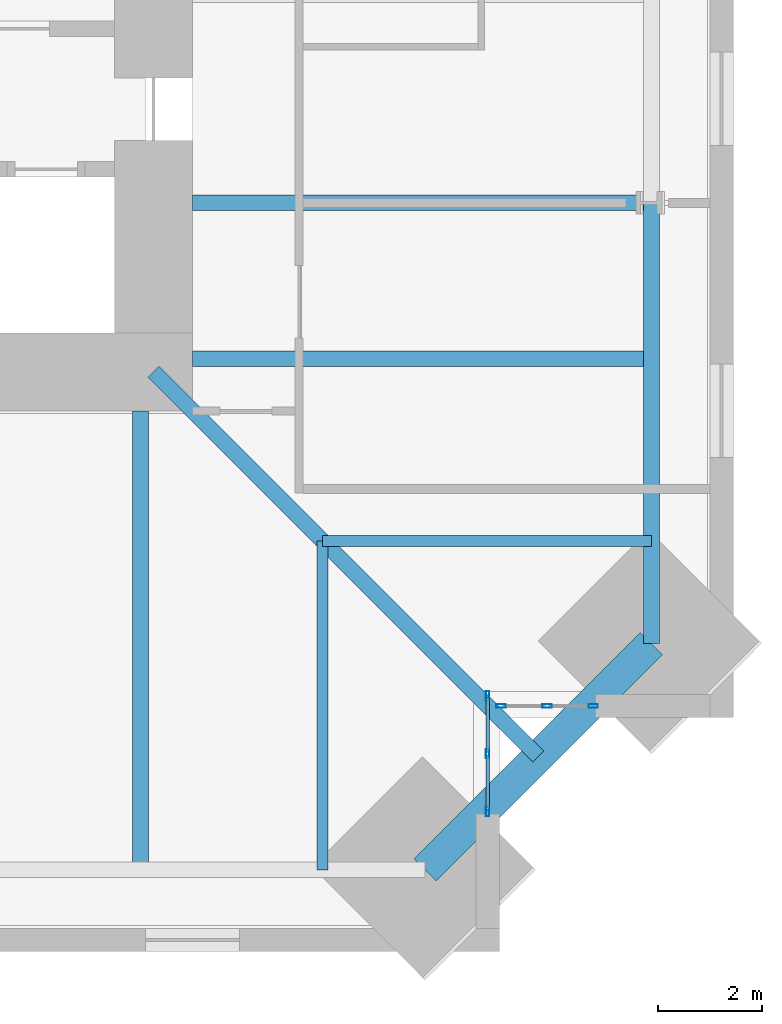
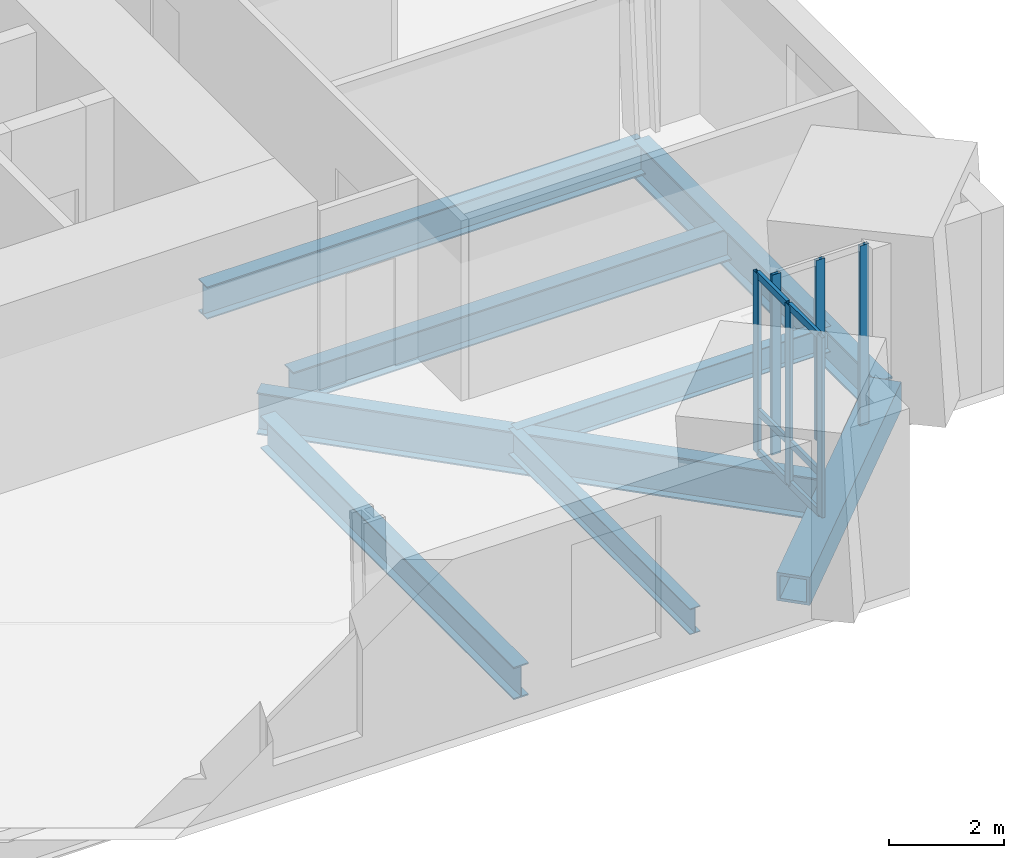
# One storey, part 4 of 18: 12 members, 8 beams, 2 elements without a shape of their own.
"""IFC4 building model written with IfcOpenShell, lengths in metres."""

import ifcopenshell
import ifcopenshell.guid

model = None  # the IFC model being written
_history = None  # IfcOwnerHistory: only IFC2X3 demands one
_inside = {}  # id of a spatial element -> (the spatial element, [elements in it])
_under = {}  # id of a project, library or spatial element -> (it, [spatial elements below it])
_declared = {}  # id of a project -> (the project, [libraries it declares])
_typed = {}  # id of a type object -> (the type object, [elements of that type])
_made_of = {}  # id of a material, layer set ... -> (it, [elements and type objects made of it])


def new_model(schema):
    """Start an empty IFC model of exactly this schema.

    Asked for "IFC4X3", IfcOpenShell would pick the latest addendum, in which some entities
    have other attributes; the version numbers below select the first issue.
    IFC2X3 requires an IfcOwnerHistory on every rooted entity: one is made here for all.
    """
    global model, _history
    if schema == "IFC4X3":
        model = ifcopenshell.file(schema_version=(4, 3, 0, 0))
    else:
        model = ifcopenshell.file(schema=schema)
    _inside.clear()
    _under.clear()
    _declared.clear()
    _typed.clear()
    _made_of.clear()
    _history = None
    if model.schema == "IFC2X3":
        org = make("IfcOrganization", Name="unknown")
        user = make(
            "IfcPersonAndOrganization",
            ThePerson=make("IfcPerson", FamilyName="unknown"),
            TheOrganization=org,
        )
        app = make(
            "IfcApplication",
            ApplicationDeveloper=org,
            Version="unknown",
            ApplicationFullName="unknown",
            ApplicationIdentifier="unknown",
        )
        _history = make(
            "IfcOwnerHistory",
            OwningUser=user,
            OwningApplication=app,
            ChangeAction="ADDED",
            CreationDate=0,
        )
    return model


def make(cls, **values):
    """One entity of the class cls with the attributes given. An attribute that is None is left unset."""
    return model.create_entity(
        cls, **{name: value for name, value in values.items() if value is not None}
    )


def rooted(cls, **values):
    """An entity with a GlobalId (a new one), such as an element, a storey or a relation."""
    return make(cls, GlobalId=ifcopenshell.guid.new(), OwnerHistory=_history, **values)


def si_unit(unit_type, name, prefix=None):
    """IfcSIUnit, for example si_unit("LENGTHUNIT", "METRE", prefix="MILLI")."""
    return make("IfcSIUnit", UnitType=unit_type, Prefix=prefix, Name=name)


def assignment(units):
    """IfcUnitAssignment: the units of a project."""
    return None if units is None else make("IfcUnitAssignment", Units=units)


def point(xyz):
    """IfcCartesianPoint."""
    return None if xyz is None else make("IfcCartesianPoint", Coordinates=xyz)


def direction(xyz):
    """IfcDirection."""
    return None if xyz is None else make("IfcDirection", DirectionRatios=xyz)


def frame(location, z_axis=None, x_axis=None):
    """IfcAxis2Placement3D, a coordinate frame: its origin and axes. An axis left out is left unset."""
    return make(
        "IfcAxis2Placement3D",
        Location=point(location),
        Axis=direction(z_axis),
        RefDirection=direction(x_axis),
    )


def frame_2d(location, x_axis=None):
    """IfcAxis2Placement2D, a coordinate frame in the plane: its origin and x axis."""
    return make(
        "IfcAxis2Placement2D", Location=point(location), RefDirection=direction(x_axis)
    )


def origin():
    """The frame at (0, 0, 0) with its axes left unset."""
    return frame((0.0, 0.0, 0.0))


def origin_2d():
    """The frame at (0, 0) in the plane with its x axis left unset."""
    return frame_2d((0.0, 0.0))


def place(relative_to, where):
    """IfcLocalPlacement: puts the frame where relative to a parent placement (None: the world)."""
    return make(
        "IfcLocalPlacement", PlacementRelTo=relative_to, RelativePlacement=where
    )


def context(
    kind, dimensions, precision=None, world=None, true_north=None, identifier=None
):
    """IfcGeometricRepresentationContext, for example the 3D "Model" context."""
    return make(
        "IfcGeometricRepresentationContext",
        ContextIdentifier=identifier,
        ContextType=kind,
        CoordinateSpaceDimension=dimensions,
        Precision=precision,
        WorldCoordinateSystem=world,
        TrueNorth=true_north,
    )


def subcontext(parent, identifier, kind, view, scale=None):
    """IfcGeometricRepresentationSubContext, for example "Body" below "Model"."""
    return make(
        "IfcGeometricRepresentationSubContext",
        ContextIdentifier=identifier,
        ContextType=kind,
        ParentContext=parent,
        TargetScale=scale,
        TargetView=view,
    )


def project(units=None, contexts=None):
    """IfcProject with its units and contexts."""
    return rooted(
        "IfcProject",
        Name="project",
        RepresentationContexts=contexts,
        UnitsInContext=assignment(units),
    )


def spatial(cls, under=None, at=None, **own):
    """A site, building, storey or space (cls), placed at a placement, below another one or the project."""
    s = rooted(cls, ObjectPlacement=at, **own)
    if under is not None:
        _under.setdefault(under.id(), (under, []))[1].append(s)
    return s


def profile(cls, at=None, kind="AREA", **sizes):
    """A parametric profile (cls). Its sizes go by their IFC names, for example OverallWidth=200.0."""
    return make(cls, ProfileType=kind, Position=at, **sizes)


def hollow_rectangle(**sizes):
    """IfcRectangleHollowProfileDef."""
    return profile("IfcRectangleHollowProfileDef", **sizes)


def i_section(**sizes):
    """IfcIShapeProfileDef."""
    return profile("IfcIShapeProfileDef", **sizes)


def extrude(swept, where, along, depth):
    """IfcExtrudedAreaSolid: the profile swept, set in the frame where, extruded along a direction by depth."""
    return make(
        "IfcExtrudedAreaSolid",
        SweptArea=swept,
        Position=where,
        ExtrudedDirection=direction(along),
        Depth=depth,
    )


def shape(context_of_items, identifier, shape_type, items):
    """IfcShapeRepresentation: the items that make up one representation, for example the "Body"."""
    return make(
        "IfcShapeRepresentation",
        ContextOfItems=context_of_items,
        RepresentationIdentifier=identifier,
        RepresentationType=shape_type,
        Items=items,
    )


def material(Name=None, Category=None):
    """IfcMaterial."""
    return make("IfcMaterial", Name=Name, Category=Category)


def material_profile(
    of_material, cross_section, Name=None, Category=None, Priority=None
):
    """IfcMaterialProfile: a cross section and its material."""
    return make(
        "IfcMaterialProfile",
        Name=Name,
        Material=of_material,
        Profile=cross_section,
        Priority=Priority,
        Category=Category,
    )


def profile_set(profiles, Name=None, composite=None):
    """IfcMaterialProfileSet."""
    return make(
        "IfcMaterialProfileSet",
        Name=Name,
        MaterialProfiles=profiles,
        CompositeProfile=composite,
    )


def made_of(thing, what):
    """Note that an element or type object is made of a material, layer set ...; save() writes the relation."""
    if what is not None:
        _made_of.setdefault(what.id(), (what, []))[1].append(thing)
    return thing


def type_object(cls, material=None, **own):
    """A type object (cls), such as IfcWallType, which elements share."""
    return made_of(rooted(cls, **own), material)


def element(
    cls,
    number,
    at=None,
    inside=None,
    cuts=None,
    type_object=None,
    material=None,
    context=None,
    identifier="Body",
    shape_type=None,
    held_by="IfcProductDefinitionShape",
    body=None,
    shapes=None,
    **own,
):
    """One element of the class cls, such as IfcWall. Its Tag is "e" and its number.

    at: its placement. inside: the storey or other place that contains it. cuts: it is an
    opening in that element (IfcRelVoidsElement). A single representation is given by context,
    identifier, shape_type and body (its items); several are given by shapes. held_by: the class
    of the entity that holds the representations. save() writes the other relations.
    """
    e = rooted(cls, Tag="e%d" % number, ObjectPlacement=at, **own)
    if body is not None:
        shapes = [shape(context, identifier, shape_type, body)]
    if shapes is not None:
        e.Representation = make(held_by, Representations=shapes)
    if inside is not None:
        _inside.setdefault(inside.id(), (inside, []))[1].append(e)
    if cuts is not None:
        rooted(
            "IfcRelVoidsElement", RelatingBuildingElement=cuts, RelatedOpeningElement=e
        )
    if type_object is not None:
        _typed.setdefault(type_object.id(), (type_object, []))[1].append(e)
    return made_of(e, material)


def aggregate(whole, parts):
    """IfcRelAggregates: a whole, such as a stair, and the parts it consists of."""
    return rooted("IfcRelAggregates", RelatingObject=whole, RelatedObjects=parts)


def save(model, path):
    """Write the relations noted so far, then the file.

    IfcRelAggregates (storeys below a building ...), IfcRelContainedInSpatialStructure (elements
    in a storey), IfcRelDefinesByType, IfcRelAssociatesMaterial and IfcRelDeclares: one each for
    every whole, place, type object, material and project.
    """
    for whole, parts in _under.values():
        aggregate(whole, parts)
    for where, things in _inside.values():
        rooted(
            "IfcRelContainedInSpatialStructure",
            RelatedElements=things,
            RelatingStructure=where,
        )
    for kind, things in _typed.values():
        rooted("IfcRelDefinesByType", RelatedObjects=things, RelatingType=kind)
    for what, things in _made_of.values():
        rooted("IfcRelAssociatesMaterial", RelatedObjects=things, RelatingMaterial=what)
    for by, libraries in _declared.values():
        rooted("IfcRelDeclares", RelatingContext=by, RelatedDefinitions=libraries)
    model.write(path)


model = new_model("IFC4")

# Units and contexts
model_context = context("Model", 3, precision=1e-05, world=origin(), true_north=direction((0.0, 1.0)))
body_context = subcontext(model_context, "Body", "Model", "MODEL_VIEW")
ifc_project = project(units=[si_unit("LENGTHUNIT", "METRE"), si_unit("AREAUNIT", "SQUARE_METRE"), si_unit("VOLUMEUNIT", "CUBIC_METRE"), si_unit("PLANEANGLEUNIT", "RADIAN"), si_unit("MASSUNIT", "GRAM", prefix="KILO")], contexts=[model_context])

# Site, building, storey
site_placement = place(None, origin())
site = spatial("IfcSite", under=ifc_project, at=site_placement, CompositionType="ELEMENT")
building_placement = place(site_placement, origin())
building = spatial("IfcBuilding", under=site, at=building_placement, Name="Peilmerk Tower", CompositionType="ELEMENT")
storey_placement = place(building_placement, frame((0.0, 0.0, 249.800048828125)))
storey = spatial("IfcBuildingStorey", under=building, at=storey_placement, Name="L55", CompositionType="ELEMENT", Elevation=249.800048828125)

# Beams
ifc_material_1 = material(Name="Steel S355", Category="steel")
ifc_material_profile_1 = material_profile(ifc_material_1, i_section(OverallWidth=0.2099609375, OverallDepth=0.550048828125, WebThickness=0.010986328125, FlangeThickness=0.01708984375, at=origin_2d()), Name="IPE 550")
ifc_profile_set_1 = profile_set([ifc_material_profile_1], Name="Steel S355")
beam_type_1 = type_object("IfcBeamType", Name="B12 IPE 550 floor beam", PredefinedType="BEAM", material=ifc_profile_set_1)
for number, where, z_axis, x_axis, name in (
    (1, (14.5, -14.5, -0.445068359375), (0.0, -1.0, 0.0), (1.0, 0.0, 0.0), "Floor beam L55"),
    (2, (14.5, -14.5, -0.445068359375), (1.0, 0.0, 0.0), (0.0, 1.0, 0.0), "Floor beam L55"),
):
    element("IfcBeam", number, at=place(storey_placement, frame(where, z_axis=z_axis, x_axis=x_axis)), inside=storey, type_object=beam_type_1, Name=name, PredefinedType="BEAM", context=body_context, shape_type="SweptSolid", body=[
        extrude(i_section(OverallWidth=0.2099609375, OverallDepth=0.550048828125, WebThickness=0.010986328125, FlangeThickness=0.01708984375, at=origin_2d()), origin(), (0.0, 0.0, 1.0), 6.32421875),
    ])
ifc_material_profile_2 = material_profile(ifc_material_1, i_section(OverallWidth=0.302978515625, OverallDepth=0.81396484375, WebThickness=0.02099609375, FlangeThickness=0.0400390625, at=origin_2d()), Name="HEM 800")
ifc_profile_set_2 = profile_set([ifc_material_profile_2], Name="Steel S355")
beam_type_2 = type_object("IfcBeamType", Name="B15 HEM 800 edge beam", PredefinedType="SPANDREL", material=ifc_profile_set_2)
beam_1_placement = place(storey_placement, frame((20.82421875, -16.47412109375, -0.5771484375), z_axis=(0.0, 1.0, 0.0), x_axis=(-1.0, 0.0, 0.0)))
element("IfcBeam", 3, at=beam_1_placement, inside=storey, type_object=beam_type_2, Name="Edge beam L55", PredefinedType="SPANDREL", context=body_context, shape_type="SweptSolid", body=[
    extrude(i_section(OverallWidth=0.302978515625, OverallDepth=0.81396484375, WebThickness=0.02099609375, FlangeThickness=0.0400390625, at=origin_2d()), origin(), (0.0, 0.0, 1.0), 8.47412109375),
])
ifc_material_profile_3 = material_profile(ifc_material_1, i_section(OverallWidth=0.300048828125, OverallDepth=0.68994140625, WebThickness=0.014404296875, FlangeThickness=0.027099609375, at=origin_2d()), Name="HEA 700")
ifc_profile_set_3 = profile_set([ifc_material_profile_3], Name="Steel S355")
beam_type_3 = type_object("IfcBeamType", Name="B16 HEA 700 floor beam", PredefinedType="BEAM", material=ifc_profile_set_3)
for number, where, z_axis, x_axis, name in (
    (4, (12.0, -11.0, -0.51513671875), (1.0, 0.0, 0.0), (0.0, 1.0, 0.0), "Floor beam L55"),
    (5, (12.0, -8.0, -0.51513671875), (1.0, 0.0, 0.0), (0.0, 1.0, 0.0), "Floor beam L55"),
    (6, (11.0, -12.0, -0.51513671875), (0.0, -1.0, 0.0), (1.0, 0.0, 0.0), "Floor beam L55"),
):
    element("IfcBeam", number, at=place(storey_placement, frame(where, z_axis=z_axis, x_axis=x_axis)), inside=storey, type_object=beam_type_3, Name=name, PredefinedType="BEAM", context=body_context, shape_type="SweptSolid", body=[
        extrude(i_section(OverallWidth=0.300048828125, OverallDepth=0.68994140625, WebThickness=0.014404296875, FlangeThickness=0.027099609375, at=origin_2d()), origin(), (0.0, 0.0, 1.0), 8.82421875),
    ])
ifc_material_2 = material(Name="Steel S460", Category="steel")
ifc_material_profile_4 = material_profile(ifc_material_2, hollow_rectangle(XDim=0.60009765625, YDim=0.60009765625, WallThickness=0.06005859375, at=origin_2d()), Name="BOX 600x600x60")
ifc_profile_set_4 = profile_set([ifc_material_profile_4], Name="Steel S460")
beam_type_4 = type_object("IfcBeamType", Name="B20 BOX 600x600x60 notch beam", PredefinedType="SPANDREL", material=ifc_profile_set_4)
beam_2_placement = place(storey_placement, frame((20.82421875, -16.47412109375, -0.469970703125), z_axis=(-0.707106781187, -0.707106781187, 0.0), x_axis=(0.707106781187, -0.707106781187, 0.0)))
element("IfcBeam", 7, at=beam_2_placement, inside=storey, type_object=beam_type_4, Name="Notch beam L55", PredefinedType="SPANDREL", context=body_context, shape_type="SweptSolid", body=[
    extrude(hollow_rectangle(XDim=0.60009765625, YDim=0.60009765625, WallThickness=0.06005859375, at=origin_2d()), origin(), (0.0, 0.0, 1.0), 6.15185546875),
])
ifc_material_profile_5 = material_profile(ifc_material_1, i_section(OverallWidth=0.300048828125, OverallDepth=0.889892578125, WebThickness=0.01611328125, FlangeThickness=0.030029296875, at=origin_2d()), Name="HEA 900")
ifc_profile_set_5 = profile_set([ifc_material_profile_5], Name="Steel S355")
beam_type_5 = type_object("IfcBeamType", Name="B4 HEA 900 floor beam", PredefinedType="BEAM", material=ifc_profile_set_5)
beam_3_placement = place(storey_placement, frame((11.25, -11.25, -0.614990234375), z_axis=(0.707106781187, -0.707106781187, 0.0), x_axis=(0.707106781187, 0.707106781187, 0.0)))
element("IfcBeam", 8, at=beam_3_placement, inside=storey, type_object=beam_type_5, Name="Corner girder L55", PredefinedType="BEAM", context=body_context, shape_type="SweptSolid", body=[
    extrude(i_section(OverallWidth=0.300048828125, OverallDepth=0.889892578125, WebThickness=0.01611328125, FlangeThickness=0.030029296875, at=origin_2d()), origin(), (0.0, 0.0, 1.0), 10.464111328125),
])

# Curtain wall, members
ifc_material_3 = material(Name="Aluminium stick curtain wall", Category="aluminium")
curtain_wall_type = type_object("IfcCurtainWallType", Name="CW4 stick curtain wall, 2250 module", PredefinedType="NOTDEFINED", material=ifc_material_3)
curtain_wall_1_placement = place(storey_placement, origin())
curtain_wall_1 = element("IfcCurtainWall", 9, at=curtain_wall_1_placement, inside=storey, type_object=curtain_wall_type, Name="Curtain wall CW4 SEA L55", PredefinedType="NOTDEFINED")
ifc_material_4 = material(Name="Aluminium EN AW-6063 T6", Category="aluminium")
ifc_material_profile_6 = material_profile(ifc_material_4, hollow_rectangle(XDim=0.06494140625, YDim=0.179931640625, WallThickness=0.0029296875, at=origin_2d()), Name="AL 180x65x3")
ifc_profile_set_6 = profile_set([ifc_material_profile_6], Name="Aluminium EN AW-6063 T6")
member_type_1 = type_object("IfcMemberType", Name="CW4-M AL 180x65x3 mullion", PredefinedType="MULLION", material=ifc_profile_set_6)
member_1_placement = place(storey_placement, frame((17.675048828125, -17.482421875, 0.0), z_axis=(0.0, 0.0, 1.0), x_axis=(1.0, 0.0, 0.0)))
member_1 = element("IfcMember", 10, at=member_1_placement, type_object=member_type_1, Name="CW4 mullion 1", PredefinedType="MULLION", context=body_context, shape_type="SweptSolid", body=[
    extrude(hollow_rectangle(XDim=0.06494140625, YDim=0.179931640625, WallThickness=0.0029296875, at=origin_2d()), origin(), (0.0, 0.0, 1.0), 3.829833984375),
])
member_2_placement = place(storey_placement, frame((17.675048828125, -18.59423828125, 0.0), z_axis=(0.0, 0.0, 1.0), x_axis=(1.0, 0.0, 0.0)))
member_2 = element("IfcMember", 11, at=member_2_placement, type_object=member_type_1, Name="CW4 mullion 2", PredefinedType="MULLION", context=body_context, shape_type="SweptSolid", body=[
    extrude(hollow_rectangle(XDim=0.06494140625, YDim=0.179931640625, WallThickness=0.0029296875, at=origin_2d()), origin(), (0.0, 0.0, 1.0), 3.829833984375),
])
member_3_placement = place(storey_placement, frame((17.675048828125, -19.706298828125, 0.0), z_axis=(0.0, 0.0, 1.0), x_axis=(1.0, 0.0, 0.0)))
member_3 = element("IfcMember", 12, at=member_3_placement, type_object=member_type_1, Name="CW4 mullion 3", PredefinedType="MULLION", context=body_context, shape_type="SweptSolid", body=[
    extrude(hollow_rectangle(XDim=0.06494140625, YDim=0.179931640625, WallThickness=0.0029296875, at=origin_2d()), origin(), (0.0, 0.0, 1.0), 3.829833984375),
])

curtain_wall_2_placement = place(storey_placement, origin())
curtain_wall_2 = element("IfcCurtainWall", 13, at=curtain_wall_2_placement, inside=storey, type_object=curtain_wall_type, Name="Curtain wall CW4 SEB L55", PredefinedType="NOTDEFINED")
member_4_placement = place(storey_placement, frame((17.9326171875, -17.675048828125, 0.0), z_axis=(0.0, 0.0, 1.0), x_axis=(0.0, 1.0, 0.0)))
member_4 = element("IfcMember", 14, at=member_4_placement, type_object=member_type_1, Name="CW4 mullion 1", PredefinedType="MULLION", context=body_context, shape_type="SweptSolid", body=[
    extrude(hollow_rectangle(XDim=0.06494140625, YDim=0.179931640625, WallThickness=0.0029296875, at=origin_2d()), origin(), (0.0, 0.0, 1.0), 3.829833984375),
])
member_5_placement = place(storey_placement, frame((18.8193359375, -17.675048828125, 0.0), z_axis=(0.0, 0.0, 1.0), x_axis=(0.0, 1.0, 0.0)))
member_5 = element("IfcMember", 15, at=member_5_placement, type_object=member_type_1, Name="CW4 mullion 2", PredefinedType="MULLION", context=body_context, shape_type="SweptSolid", body=[
    extrude(hollow_rectangle(XDim=0.06494140625, YDim=0.179931640625, WallThickness=0.0029296875, at=origin_2d()), origin(), (0.0, 0.0, 1.0), 3.829833984375),
])
member_6_placement = place(storey_placement, frame((19.706298828125, -17.675048828125, 0.0), z_axis=(0.0, 0.0, 1.0), x_axis=(0.0, 1.0, 0.0)))
member_6 = element("IfcMember", 16, at=member_6_placement, type_object=member_type_1, Name="CW4 mullion 3", PredefinedType="MULLION", context=body_context, shape_type="SweptSolid", body=[
    extrude(hollow_rectangle(XDim=0.06494140625, YDim=0.179931640625, WallThickness=0.0029296875, at=origin_2d()), origin(), (0.0, 0.0, 1.0), 3.829833984375),
])
aggregate(curtain_wall_2, [member_4, member_5, member_6])

# Member
ifc_material_profile_7 = material_profile(ifc_material_4, hollow_rectangle(XDim=0.06494140625, YDim=0.14990234375, WallThickness=0.0029296875, at=origin_2d()), Name="AL 150x65x3")
ifc_profile_set_7 = profile_set([ifc_material_profile_7], Name="Aluminium EN AW-6063 T6")
member_type_2 = type_object("IfcMemberType", Name="CW4-T AL 150x65x3 transom", PredefinedType="USERDEFINED", material=ifc_profile_set_7)
member_7_placement = place(storey_placement, frame((17.675048828125, -17.514892578125, 0.032470703125), z_axis=(0.0, -1.0, 0.0), x_axis=(1.0, 0.0, 0.0)))
member_7 = element("IfcMember", 17, at=member_7_placement, type_object=member_type_2, Name="CW4 transom 1.1", ObjectType="TRANSOM", PredefinedType="USERDEFINED", context=body_context, shape_type="SweptSolid", body=[
    extrude(hollow_rectangle(XDim=0.06494140625, YDim=0.14990234375, WallThickness=0.0029296875, at=origin_2d()), origin(), (0.0, 0.0, 1.0), 1.046875),
])

member_8_placement = place(storey_placement, frame((17.675048828125, -17.514892578125, 0.89990234375), z_axis=(0.0, -1.0, 0.0), x_axis=(1.0, 0.0, 0.0)))
member_8 = element("IfcMember", 18, at=member_8_placement, type_object=member_type_2, Name="CW4 transom 1.2", ObjectType="TRANSOM", PredefinedType="USERDEFINED", context=body_context, shape_type="SweptSolid", body=[
    extrude(hollow_rectangle(XDim=0.06494140625, YDim=0.14990234375, WallThickness=0.0029296875, at=origin_2d()), origin(), (0.0, 0.0, 1.0), 1.046875),
])

member_9_placement = place(storey_placement, frame((17.675048828125, -17.514892578125, 3.79736328125), z_axis=(0.0, -1.0, 0.0), x_axis=(1.0, 0.0, 0.0)))
member_9 = element("IfcMember", 19, at=member_9_placement, type_object=member_type_2, Name="CW4 transom 1.3", ObjectType="TRANSOM", PredefinedType="USERDEFINED", context=body_context, shape_type="SweptSolid", body=[
    extrude(hollow_rectangle(XDim=0.06494140625, YDim=0.14990234375, WallThickness=0.0029296875, at=origin_2d()), origin(), (0.0, 0.0, 1.0), 1.046875),
])

member_10_placement = place(storey_placement, frame((17.675048828125, -18.626953125, 0.032470703125), z_axis=(0.0, -1.0, 0.0), x_axis=(1.0, 0.0, 0.0)))
member_10 = element("IfcMember", 20, at=member_10_placement, type_object=member_type_2, Name="CW4 transom 2.1", ObjectType="TRANSOM", PredefinedType="USERDEFINED", context=body_context, shape_type="SweptSolid", body=[
    extrude(hollow_rectangle(XDim=0.06494140625, YDim=0.14990234375, WallThickness=0.0029296875, at=origin_2d()), origin(), (0.0, 0.0, 1.0), 1.046630859375),
])

member_11_placement = place(storey_placement, frame((17.675048828125, -18.626953125, 0.89990234375), z_axis=(0.0, -1.0, 0.0), x_axis=(1.0, 0.0, 0.0)))
member_11 = element("IfcMember", 21, at=member_11_placement, type_object=member_type_2, Name="CW4 transom 2.2", ObjectType="TRANSOM", PredefinedType="USERDEFINED", context=body_context, shape_type="SweptSolid", body=[
    extrude(hollow_rectangle(XDim=0.06494140625, YDim=0.14990234375, WallThickness=0.0029296875, at=origin_2d()), origin(), (0.0, 0.0, 1.0), 1.046630859375),
])

member_12_placement = place(storey_placement, frame((17.675048828125, -18.626953125, 3.79736328125), z_axis=(0.0, -1.0, 0.0), x_axis=(1.0, 0.0, 0.0)))
member_12 = element("IfcMember", 22, at=member_12_placement, type_object=member_type_2, Name="CW4 transom 2.3", ObjectType="TRANSOM", PredefinedType="USERDEFINED", context=body_context, shape_type="SweptSolid", body=[
    extrude(hollow_rectangle(XDim=0.06494140625, YDim=0.14990234375, WallThickness=0.0029296875, at=origin_2d()), origin(), (0.0, 0.0, 1.0), 1.046630859375),
])

aggregate(curtain_wall_1, [member_1, member_2, member_3, member_7, member_8, member_9, member_10, member_11, member_12])

save(model, "model.ifc")
